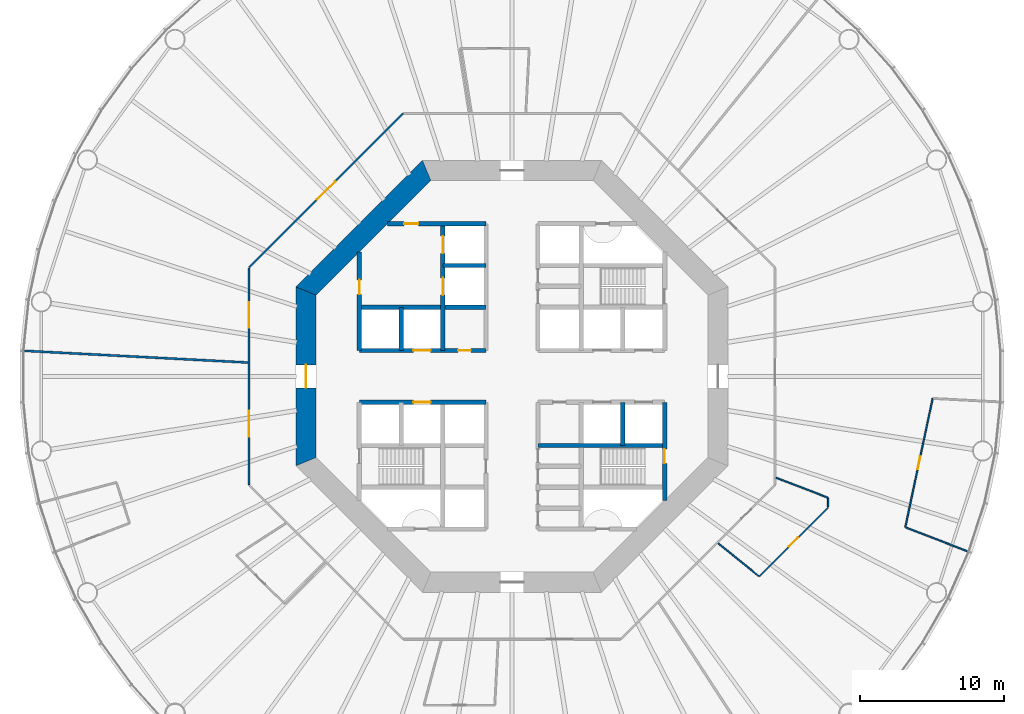
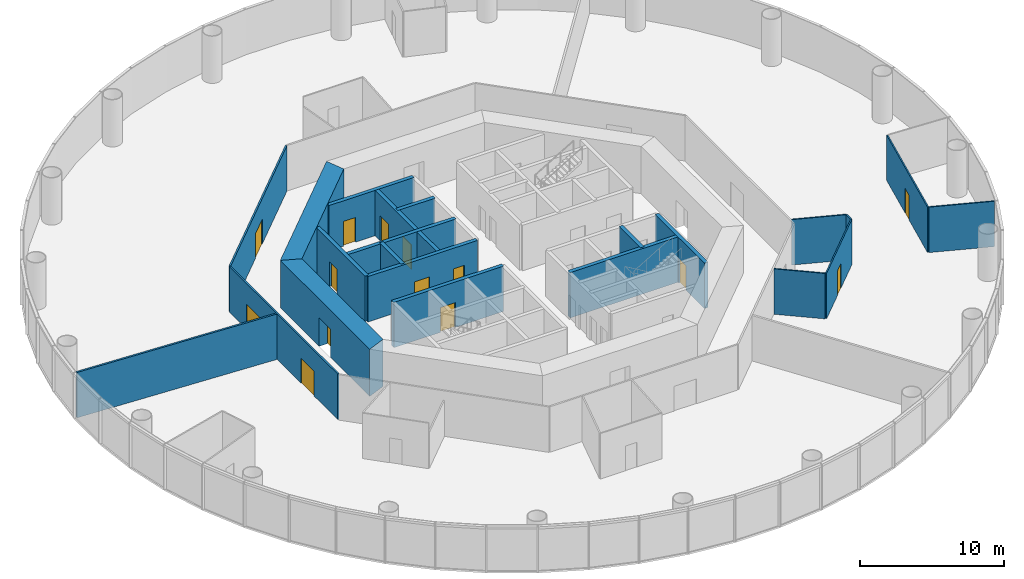
# One storey, part 4 of 13: 22 walls, 14 doors, 14 openings.
"""IFC4 building model written with IfcOpenShell, lengths in metres."""

from ifc_helpers import new_model, si_unit, direction, frame, frame_2d, origin, place, context, subcontext, project, spatial, polyline, rectangle, outline, extrude, material, layer, layer_set, type_object, element, fill, save


model = new_model("IFC4")

# Units and contexts
model_context = context("Model", 3, precision=1e-05, world=origin(), true_north=direction((0.0, 1.0)))
body_context = subcontext(model_context, "Body", "Model", "MODEL_VIEW")
ifc_project = project(units=[si_unit("LENGTHUNIT", "METRE"), si_unit("AREAUNIT", "SQUARE_METRE"), si_unit("VOLUMEUNIT", "CUBIC_METRE"), si_unit("PLANEANGLEUNIT", "RADIAN"), si_unit("MASSUNIT", "GRAM", prefix="KILO")], contexts=[model_context])

# Site, building, storey
site_placement = place(None, origin())
site = spatial("IfcSite", under=ifc_project, at=site_placement, CompositionType="ELEMENT")
building_placement = place(site_placement, origin())
building = spatial("IfcBuilding", under=site, at=building_placement, Name="Entoto Ring Tower", CompositionType="ELEMENT")
storey_placement = place(building_placement, frame((0.0, 0.0, 46.0)))
storey = spatial("IfcBuildingStorey", under=building, at=storey_placement, Name="L09", CompositionType="ELEMENT", Elevation=46.0)

# Wall, opening, door
ifc_material_1 = material(Name="Concrete C40/50", Category="concrete")
ifc_layer_1 = layer(ifc_material_1, 0.300048828125)
ifc_layer_set_1 = layer_set([ifc_layer_1], Name="Concrete C40/50")
wall_type_1 = type_object("IfcWallType", Name="Core enclosure wall 300 mm reinforced concrete", PredefinedType="SOLIDWALL", material=ifc_layer_set_1)
wall_1_placement = place(storey_placement, frame((100.60009765625, 71.36669921875, 0.0), z_axis=(0.0, 0.0, 1.0), x_axis=(0.0, 1.0, 0.0)))
wall_1 = element("IfcWall", 1, at=wall_1_placement, inside=storey, type_object=wall_type_1, Name="wall-L09-001", PredefinedType="SOLIDWALL", context=body_context, shape_type="SweptSolid", body=[
    extrude(rectangle(XDim=6.833251953125, YDim=0.300048828125, at=frame_2d((3.41650390625, 0.0))), origin(), (0.0, 0.0, 1.0), 3.85009765625),
])
opening_1_placement = place(wall_1_placement, frame((2.583251953125, 0.0, 0.0)))
opening_1 = element("IfcOpeningElement", 2, at=opening_1_placement, cuts=wall_1, Name="Opening K-22", PredefinedType="OPENING", context=body_context, shape_type="SweptSolid", body=[
    extrude(rectangle(XDim=1.0, YDim=2.10009765625, at=frame_2d((0.5, 1.050048828125))), frame((0.0, 0.16015625, 0.0), z_axis=(0.0, -1.0, 0.0), x_axis=(1.0, 0.0, 0.0)), (0.0, 0.0, 1.0), 0.320068359375),
])
ifc_material_2 = material(Name="Steel door leaf, fire rated", Category="steel")
ifc_layer_2 = layer(ifc_material_2, 0.050048828125)
ifc_layer_set_2 = layer_set([ifc_layer_2], Name="Steel door leaf, fire rated")
door_type_1 = type_object("IfcDoorType", Name="Fire door FD60 1000 x 2100 single leaf", OperationType="NOTDEFINED", PredefinedType="DOOR", material=ifc_layer_set_2)
door_1_placement = place(opening_1_placement, origin())
door_1 = element("IfcDoor", 3, at=door_1_placement, inside=storey, type_object=door_type_1, Name="Door K-22", OperationType="SINGLE_SWING_RIGHT", OverallHeight=2.10009765625, OverallWidth=1.0, PredefinedType="DOOR", context=body_context, shape_type="SweptSolid", body=[
    extrude(rectangle(XDim=1.0, YDim=2.10009765625, at=frame_2d((0.5, 1.050048828125))), frame((0.0, 0.02490234375, 0.0), z_axis=(0.0, -1.0, 0.0), x_axis=(1.0, 0.0, 0.0)), (0.0, 0.0, 1.0), 0.050048828125),
])
fill(opening_1, door_1)

# Wall
wall_2_placement = place(storey_placement, frame((97.699951171875, 75.199951171875, 0.0), z_axis=(0.0, 0.0, 1.0), x_axis=(0.0, 1.0, 0.0)))
element("IfcWall", 4, at=wall_2_placement, inside=storey, type_object=wall_type_1, Name="wall-L09-003", PredefinedType="SOLIDWALL", context=body_context, shape_type="SweptSolid", body=[
    extrude(rectangle(XDim=3.0, YDim=0.300048828125, at=frame_2d((1.5, 0.0))), origin(), (0.0, 0.0, 1.0), 3.85009765625),
])

# Wall, openings, doors
wall_3_placement = place(storey_placement, frame((85.199951171875, 81.800048828125, 0.0), z_axis=(0.0, 0.0, 1.0), x_axis=(0.0, 1.0, 0.0)))
wall_3 = element("IfcWall", 5, at=wall_3_placement, inside=storey, type_object=wall_type_1, Name="wall-L09-012", PredefinedType="SOLIDWALL", context=body_context, shape_type="SweptSolid", body=[
    extrude(rectangle(XDim=8.800048828125, YDim=0.300048828125, at=frame_2d((4.39990234375, 0.0))), origin(), (0.0, 0.0, 1.0), 3.85009765625),
])
opening_2_placement = place(wall_3_placement, frame((3.85009765625, 0.0, 0.0)))
opening_2 = element("IfcOpeningElement", 6, at=opening_2_placement, cuts=wall_3, Name="Opening LD", PredefinedType="OPENING", context=body_context, shape_type="SweptSolid", body=[
    extrude(rectangle(XDim=1.199951171875, YDim=2.10009765625, at=frame_2d((0.60009765625, 1.050048828125))), frame((0.0, 0.16015625, 0.0), z_axis=(0.0, -1.0, 0.0), x_axis=(1.0, 0.0, 0.0)), (0.0, 0.0, 1.0), 0.320068359375),
])
opening_3_placement = place(wall_3_placement, frame((6.75, 0.0, 0.0)))
opening_3 = element("IfcOpeningElement", 7, at=opening_3_placement, cuts=wall_3, Name="Opening LD", PredefinedType="OPENING", context=body_context, shape_type="SweptSolid", body=[
    extrude(rectangle(XDim=1.199951171875, YDim=2.10009765625, at=frame_2d((0.60009765625, 1.050048828125))), frame((0.0, 0.16015625, 0.0), z_axis=(0.0, -1.0, 0.0), x_axis=(1.0, 0.0, 0.0)), (0.0, 0.0, 1.0), 0.320068359375),
])
ifc_material_3 = material(Name="Steel and glass door leaf", Category="steel")
ifc_layer_3 = layer(ifc_material_3, 0.050048828125)
ifc_layer_set_3 = layer_set([ifc_layer_3], Name="Steel and glass door leaf")
door_type_2 = type_object("IfcDoorType", Name="Landing door 1200 x 2100 sliding", OperationType="DOUBLE_DOOR_SLIDING", PredefinedType="DOOR", material=ifc_layer_set_3)
door_2_placement = place(opening_2_placement, origin())
door_2 = element("IfcDoor", 8, at=door_2_placement, inside=storey, type_object=door_type_2, Name="Landing door FF1", OperationType="SLIDING_TO_RIGHT", OverallHeight=2.10009765625, OverallWidth=1.199951171875, PredefinedType="DOOR", context=body_context, shape_type="SweptSolid", body=[
    extrude(rectangle(XDim=1.199951171875, YDim=2.10009765625, at=frame_2d((0.60009765625, 1.050048828125))), frame((0.0, 0.02490234375, 0.0), z_axis=(0.0, -1.0, 0.0), x_axis=(1.0, 0.0, 0.0)), (0.0, 0.0, 1.0), 0.050048828125),
])
fill(opening_2, door_2)
door_3_placement = place(opening_3_placement, origin())
door_3 = element("IfcDoor", 9, at=door_3_placement, inside=storey, type_object=door_type_2, Name="Landing door FF2", OperationType="SLIDING_TO_RIGHT", OverallHeight=2.10009765625, OverallWidth=1.199951171875, PredefinedType="DOOR", context=body_context, shape_type="SweptSolid", body=[
    extrude(rectangle(XDim=1.199951171875, YDim=2.10009765625, at=frame_2d((0.60009765625, 1.050048828125))), frame((0.0, 0.02490234375, 0.0), z_axis=(0.0, -1.0, 0.0), x_axis=(1.0, 0.0, 0.0)), (0.0, 0.0, 1.0), 0.050048828125),
])
fill(opening_3, door_3)

# Wall
wall_4_placement = place(storey_placement, frame((82.300048828125, 81.800048828125, 0.0), z_axis=(0.0, 0.0, 1.0), x_axis=(0.0, 1.0, 0.0)))
element("IfcWall", 10, at=wall_4_placement, inside=storey, type_object=wall_type_1, Name="wall-L09-014", PredefinedType="SOLIDWALL", context=body_context, shape_type="SweptSolid", body=[
    extrude(rectangle(XDim=3.0, YDim=0.300048828125, at=frame_2d((1.5, 0.0))), origin(), (0.0, 0.0, 1.0), 3.85009765625),
])

# Wall, opening, door
wall_5_placement = place(storey_placement, frame((79.39990234375, 81.800048828125, 0.0), z_axis=(0.0, 0.0, 1.0), x_axis=(0.0, 1.0, 0.0)))
wall_5 = element("IfcWall", 11, at=wall_5_placement, inside=storey, type_object=wall_type_1, Name="wall-L09-016", PredefinedType="SOLIDWALL", context=body_context, shape_type="SweptSolid", body=[
    extrude(rectangle(XDim=6.833251953125, YDim=0.300048828125, at=frame_2d((3.41650390625, 0.0))), origin(), (0.0, 0.0, 1.0), 3.85009765625),
])
opening_4_placement = place(wall_5_placement, frame((3.89990234375, 0.0, 0.0)))
opening_4 = element("IfcOpeningElement", 12, at=opening_4_placement, cuts=wall_5, Name="Opening K-26", PredefinedType="OPENING", context=body_context, shape_type="SweptSolid", body=[
    extrude(rectangle(XDim=1.0, YDim=2.10009765625, at=frame_2d((0.5, 1.050048828125))), frame((0.0, 0.16015625, 0.0), z_axis=(0.0, -1.0, 0.0), x_axis=(1.0, 0.0, 0.0)), (0.0, 0.0, 1.0), 0.320068359375),
])
door_4_placement = place(opening_4_placement, frame((1.0, 0.0, 0.0), z_axis=(0.0, 0.0, 1.0), x_axis=(-1.0, 0.0, 0.0)))
door_4 = element("IfcDoor", 13, at=door_4_placement, inside=storey, type_object=door_type_1, Name="Door K-26", OperationType="SINGLE_SWING_LEFT", OverallHeight=2.10009765625, OverallWidth=1.0, PredefinedType="DOOR", context=body_context, shape_type="SweptSolid", body=[
    extrude(rectangle(XDim=1.0, YDim=2.10009765625, at=frame_2d((0.5, 1.050048828125))), frame((0.0, 0.02490234375, 0.0), z_axis=(0.0, -1.0, 0.0), x_axis=(1.0, 0.0, 0.0)), (0.0, 0.0, 1.0), 0.050048828125),
])
fill(opening_4, door_4)

# Wall
wall_6_placement = place(storey_placement, frame((91.800048828125, 75.199951171875, 0.0), z_axis=(0.0, 0.0, 1.0), x_axis=(1.0, 0.0, 0.0)))
element("IfcWall", 14, at=wall_6_placement, inside=storey, type_object=wall_type_1, Name="wall-L09-024", PredefinedType="SOLIDWALL", context=body_context, shape_type="SweptSolid", body=[
    extrude(rectangle(XDim=8.800048828125, YDim=0.300048828125, at=frame_2d((4.39990234375, 0.0))), origin(), (0.0, 0.0, 1.0), 3.85009765625),
])

# Wall, opening, door
wall_7_placement = place(storey_placement, frame((79.39990234375, 78.199951171875, 0.0), z_axis=(0.0, 0.0, 1.0), x_axis=(1.0, 0.0, 0.0)))
wall_7 = element("IfcWall", 15, at=wall_7_placement, inside=storey, type_object=wall_type_1, Name="wall-L09-025", PredefinedType="SOLIDWALL", context=body_context, shape_type="SweptSolid", body=[
    extrude(rectangle(XDim=8.800048828125, YDim=0.300048828125, at=frame_2d((4.39990234375, 0.0))), origin(), (0.0, 0.0, 1.0), 3.85009765625),
])
opening_5_placement = place(wall_7_placement, frame((3.75, 0.0, 0.0)))
opening_5 = element("IfcOpeningElement", 16, at=opening_5_placement, cuts=wall_7, Name="Opening LD", PredefinedType="OPENING", context=body_context, shape_type="SweptSolid", body=[
    extrude(rectangle(XDim=1.199951171875, YDim=2.10009765625, at=frame_2d((0.60009765625, 1.050048828125))), frame((0.0, 0.16015625, 0.0), z_axis=(0.0, -1.0, 0.0), x_axis=(1.0, 0.0, 0.0)), (0.0, 0.0, 1.0), 0.320068359375),
])
door_5_placement = place(opening_5_placement, origin())
door_5 = element("IfcDoor", 17, at=door_5_placement, inside=storey, type_object=door_type_2, Name="Landing door LB6-LR", OperationType="SLIDING_TO_RIGHT", OverallHeight=2.10009765625, OverallWidth=1.199951171875, PredefinedType="DOOR", context=body_context, shape_type="SweptSolid", body=[
    extrude(rectangle(XDim=1.199951171875, YDim=2.10009765625, at=frame_2d((0.60009765625, 1.050048828125))), frame((0.0, 0.02490234375, 0.0), z_axis=(0.0, -1.0, 0.0), x_axis=(1.0, 0.0, 0.0)), (0.0, 0.0, 1.0), 0.050048828125),
])
fill(opening_5, door_5)

# Wall, openings, doors
wall_8_placement = place(storey_placement, frame((79.39990234375, 81.800048828125, 0.0), z_axis=(0.0, 0.0, 1.0), x_axis=(1.0, 0.0, 0.0)))
wall_8 = element("IfcWall", 18, at=wall_8_placement, inside=storey, type_object=wall_type_1, Name="wall-L09-027", PredefinedType="SOLIDWALL", context=body_context, shape_type="SweptSolid", body=[
    extrude(rectangle(XDim=8.800048828125, YDim=0.300048828125, at=frame_2d((4.39990234375, 0.0))), origin(), (0.0, 0.0, 1.0), 3.85009765625),
])
opening_6_placement = place(wall_8_placement, frame((3.75, 0.0, 0.0)))
opening_6 = element("IfcOpeningElement", 19, at=opening_6_placement, cuts=wall_8, Name="Opening LD", PredefinedType="OPENING", context=body_context, shape_type="SweptSolid", body=[
    extrude(rectangle(XDim=1.199951171875, YDim=2.10009765625, at=frame_2d((0.60009765625, 1.050048828125))), frame((0.0, 0.16015625, 0.0), z_axis=(0.0, -1.0, 0.0), x_axis=(1.0, 0.0, 0.0)), (0.0, 0.0, 1.0), 0.320068359375),
])
opening_7_placement = place(wall_8_placement, frame((6.85009765625, 0.0, 0.0)))
opening_7 = element("IfcOpeningElement", 20, at=opening_7_placement, cuts=wall_8, Name="Opening K-18", PredefinedType="OPENING", context=body_context, shape_type="SweptSolid", body=[
    extrude(rectangle(XDim=0.89990234375, YDim=2.10009765625, at=frame_2d((0.449951171875, 1.050048828125))), frame((0.0, 0.16015625, 0.0), z_axis=(0.0, -1.0, 0.0), x_axis=(1.0, 0.0, 0.0)), (0.0, 0.0, 1.0), 0.320068359375),
])
ifc_material_4 = material(Name="Steel door leaf, fire rated", Category="steel")
ifc_layer_4 = layer(ifc_material_4, 0.050048828125)
ifc_layer_set_4 = layer_set([ifc_layer_4], Name="Steel door leaf, fire rated")
door_type_3 = type_object("IfcDoorType", Name="Core door 900 x 2100 single leaf", OperationType="NOTDEFINED", PredefinedType="DOOR", material=ifc_layer_set_4)
door_6_placement = place(opening_7_placement, frame((0.89990234375, 0.0, 0.0), z_axis=(0.0, 0.0, 1.0), x_axis=(-1.0, 0.0, 0.0)))
door_6 = element("IfcDoor", 21, at=door_6_placement, inside=storey, type_object=door_type_3, Name="Door K-18", OperationType="SINGLE_SWING_RIGHT", OverallHeight=2.10009765625, OverallWidth=0.89990234375, PredefinedType="DOOR", context=body_context, shape_type="SweptSolid", body=[
    extrude(rectangle(XDim=0.89990234375, YDim=2.10009765625, at=frame_2d((0.449951171875, 1.050048828125))), frame((0.0, 0.02490234375, 0.0), z_axis=(0.0, -1.0, 0.0), x_axis=(1.0, 0.0, 0.0)), (0.0, 0.0, 1.0), 0.050048828125),
])
fill(opening_7, door_6)
door_7_placement = place(opening_6_placement, origin())
door_7 = element("IfcDoor", 22, at=door_7_placement, inside=storey, type_object=door_type_2, Name="Landing door LB3-LR", OperationType="SLIDING_TO_RIGHT", OverallHeight=2.10009765625, OverallWidth=1.199951171875, PredefinedType="DOOR", context=body_context, shape_type="SweptSolid", body=[
    extrude(rectangle(XDim=1.199951171875, YDim=2.10009765625, at=frame_2d((0.60009765625, 1.050048828125))), frame((0.0, 0.02490234375, 0.0), z_axis=(0.0, -1.0, 0.0), x_axis=(1.0, 0.0, 0.0)), (0.0, 0.0, 1.0), 0.050048828125),
])
fill(opening_6, door_7)

# Walls
wall_9_placement = place(storey_placement, frame((79.39990234375, 84.800048828125, 0.0), z_axis=(0.0, 0.0, 1.0), x_axis=(1.0, 0.0, 0.0)))
element("IfcWall", 23, at=wall_9_placement, inside=storey, type_object=wall_type_1, Name="wall-L09-029", PredefinedType="SOLIDWALL", context=body_context, shape_type="SweptSolid", body=[
    extrude(rectangle(XDim=8.800048828125, YDim=0.300048828125, at=frame_2d((4.39990234375, 0.0))), origin(), (0.0, 0.0, 1.0), 3.85009765625),
])
wall_10_placement = place(storey_placement, frame((85.199951171875, 87.699951171875, 0.0), z_axis=(0.0, 0.0, 1.0), x_axis=(1.0, 0.0, 0.0)))
element("IfcWall", 24, at=wall_10_placement, inside=storey, type_object=wall_type_1, Name="wall-L09-032", PredefinedType="SOLIDWALL", context=body_context, shape_type="SweptSolid", body=[
    extrude(rectangle(XDim=3.0, YDim=0.300048828125, at=frame_2d((1.5, 0.0))), origin(), (0.0, 0.0, 1.0), 3.85009765625),
])

# Wall, opening, door
wall_11_placement = place(storey_placement, frame((81.36669921875, 90.60009765625, 0.0), z_axis=(0.0, 0.0, 1.0), x_axis=(1.0, 0.0, 0.0)))
wall_11 = element("IfcWall", 25, at=wall_11_placement, inside=storey, type_object=wall_type_1, Name="wall-L09-034", PredefinedType="SOLIDWALL", context=body_context, shape_type="SweptSolid", body=[
    extrude(rectangle(XDim=6.833251953125, YDim=0.300048828125, at=frame_2d((3.41650390625, 0.0))), origin(), (0.0, 0.0, 1.0), 3.85009765625),
])
opening_8_placement = place(wall_11_placement, frame((1.13330078125, 0.0, 0.0)))
opening_8 = element("IfcOpeningElement", 26, at=opening_8_placement, cuts=wall_11, Name="Opening K-27", PredefinedType="OPENING", context=body_context, shape_type="SweptSolid", body=[
    extrude(rectangle(XDim=1.0, YDim=2.10009765625, at=frame_2d((0.5, 1.050048828125))), frame((0.0, 0.16015625, 0.0), z_axis=(0.0, -1.0, 0.0), x_axis=(1.0, 0.0, 0.0)), (0.0, 0.0, 1.0), 0.320068359375),
])
door_8_placement = place(opening_8_placement, frame((1.0, 0.0, 0.0), z_axis=(0.0, 0.0, 1.0), x_axis=(-1.0, 0.0, 0.0)))
door_8 = element("IfcDoor", 27, at=door_8_placement, inside=storey, type_object=door_type_1, Name="Door K-27", OperationType="SINGLE_SWING_RIGHT", OverallHeight=2.10009765625, OverallWidth=1.0, PredefinedType="DOOR", context=body_context, shape_type="SweptSolid", body=[
    extrude(rectangle(XDim=1.0, YDim=2.10009765625, at=frame_2d((0.5, 1.050048828125))), frame((0.0, 0.02490234375, 0.0), z_axis=(0.0, -1.0, 0.0), x_axis=(1.0, 0.0, 0.0)), (0.0, 0.0, 1.0), 0.050048828125),
])
fill(opening_8, door_8)

# Wall
ifc_material_5 = material(Name="Concrete C60/75", Category="concrete")
ifc_layer_5 = layer(ifc_material_5, 1.39990234375)
ifc_layer_set_5 = layer_set([ifc_layer_5], Name="Concrete C60/75")
wall_type_2 = type_object("IfcWallType", Name="Core shear wall 1400 mm reinforced concrete C60/75", PredefinedType="SHEAR", material=ifc_layer_set_5)
wall_12_placement = place(storey_placement, frame((84.07666015625, 94.300048828125, 0.0), z_axis=(0.0, 0.0, 1.0), x_axis=(-0.707106781187, -0.707106781187, 0.0)))
element("IfcWall", 28, at=wall_12_placement, inside=storey, type_object=wall_type_2, Name="wall-L09-core-3", PredefinedType="SHEAR", context=body_context, shape_type="SweptSolid", body=[
    extrude(outline(polyline([(-0.2900390625, -0.699951171875), (12.136474609375, -0.699951171875), (11.556396484375, 0.699951171875), (0.2900390625, 0.699951171875), (-0.2900390625, -0.699951171875)])), origin(), (0.0, 0.0, 1.0), 4.0),
])

# Wall, opening, door
wall_13_placement = place(storey_placement, frame((75.699951171875, 85.92333984375, 0.0), z_axis=(0.0, 0.0, 1.0), x_axis=(0.0, -1.0, 0.0)))
wall_13 = element("IfcWall", 29, at=wall_13_placement, inside=storey, type_object=wall_type_2, Name="wall-L09-core-4", PredefinedType="SHEAR", context=body_context, shape_type="SweptSolid", body=[
    extrude(outline(polyline([(-0.2900390625, -0.699951171875), (12.13671875, -0.699951171875), (11.556640625, 0.699951171875), (0.2900390625, 0.699951171875), (-0.2900390625, -0.699951171875)])), origin(), (0.0, 0.0, 1.0), 4.0),
])
opening_9_placement = place(wall_13_placement, frame((5.123291015625, 0.0, 0.0)))
opening_9 = element("IfcOpeningElement", 30, at=opening_9_placement, cuts=wall_13, Name="Opening K-03", PredefinedType="OPENING", context=body_context, shape_type="SweptSolid", body=[
    extrude(rectangle(XDim=1.60009765625, YDim=2.39990234375, at=frame_2d((0.800048828125, 1.199951171875))), frame((0.0, 0.7099609375, 0.0), z_axis=(0.0, -1.0, 0.0), x_axis=(1.0, 0.0, 0.0)), (0.0, 0.0, 1.0), 1.419921875),
])
ifc_material_6 = material(Name="Steel door leaf, fire rated", Category="steel")
ifc_layer_6 = layer(ifc_material_6, 0.050048828125)
ifc_layer_set_6 = layer_set([ifc_layer_6], Name="Steel door leaf, fire rated")
door_type_4 = type_object("IfcDoorType", Name="Entrance door FD60 1600 x 2400 double leaf", OperationType="DOUBLE_DOOR_SINGLE_SWING", PredefinedType="DOOR", material=ifc_layer_set_6)
door_9_placement = place(opening_9_placement, origin())
door_9 = element("IfcDoor", 31, at=door_9_placement, inside=storey, type_object=door_type_4, Name="Entrance door K-03", OperationType="DOUBLE_DOOR_SINGLE_SWING", OverallHeight=2.39990234375, OverallWidth=1.60009765625, PredefinedType="DOOR", context=body_context, shape_type="SweptSolid", body=[
    extrude(rectangle(XDim=1.60009765625, YDim=2.39990234375, at=frame_2d((0.800048828125, 1.199951171875))), frame((0.0, 0.02490234375, 0.0), z_axis=(0.0, -1.0, 0.0), x_axis=(1.0, 0.0, 0.0)), (0.0, 0.0, 1.0), 0.050048828125),
])
fill(opening_9, door_9)

ifc_material_7 = material(Name="Fire-resisting plasterboard on steel studs", Category="steel")
ifc_layer_7 = layer(ifc_material_7, 0.125)
ifc_layer_set_7 = layer_set([ifc_layer_7], Name="Fire-resisting plasterboard on steel studs")
wall_type_3 = type_object("IfcWallType", Name="Corridor wall 125 mm one-hour plasterboard on steel studs", PredefinedType="PARTITIONING", material=ifc_layer_set_7)
wall_14_placement = place(storey_placement, frame((71.737548828125, 87.564697265625, 0.0), z_axis=(0.0, 0.0, 1.0), x_axis=(0.707106781187, 0.707106781187, 0.0)))
wall_14 = element("IfcWall", 32, at=wall_14_placement, inside=storey, type_object=wall_type_3, Name="partition-L09-001", PredefinedType="PARTITIONING", context=body_context, shape_type="SweptSolid", body=[
    extrude(rectangle(XDim=15.12890625, YDim=0.125, at=frame_2d((7.564453125, 0.0))), origin(), (0.0, 0.0, 1.0), 3.85009765625),
])
opening_10_placement = place(wall_14_placement, frame((6.66455078125, 0.0, 0.0)))
opening_10 = element("IfcOpeningElement", 33, at=opening_10_placement, cuts=wall_14, Name="Opening A04-D11", PredefinedType="OPENING", context=body_context, shape_type="SweptSolid", body=[
    extrude(rectangle(XDim=1.800048828125, YDim=2.10009765625, at=frame_2d((0.89990234375, 1.050048828125))), frame((0.0, 0.072509765625, 0.0), z_axis=(0.0, -1.0, 0.0), x_axis=(1.0, 0.0, 0.0)), (0.0, 0.0, 1.0), 0.14501953125),
])
ifc_material_8 = material(Name="Fire-resisting timber door set", Category="wood")
door_type_5 = type_object("IfcDoorType", Name="Door 1800 x 2100 double leaf FD30S fire door", OperationType="DOUBLE_DOOR_SINGLE_SWING", PredefinedType="DOOR", material=ifc_material_8)
door_10_placement = place(opening_10_placement, frame((1.800048828125, 0.0, 0.0), z_axis=(0.0, 0.0, 1.0), x_axis=(-1.0, 0.0, 0.0)))
door_10 = element("IfcDoor", 34, at=door_10_placement, inside=storey, type_object=door_type_5, Name="Door A04-D11", OperationType="DOUBLE_DOOR_SINGLE_SWING", OverallHeight=2.10009765625, OverallWidth=1.800048828125, PredefinedType="DOOR", context=body_context, shape_type="SweptSolid", body=[
    extrude(rectangle(XDim=1.800048828125, YDim=2.10009765625, at=frame_2d((0.89990234375, 1.050048828125))), frame((0.0, 0.02490234375, 0.0), z_axis=(0.0, -1.0, 0.0), x_axis=(1.0, 0.0, 0.0)), (0.0, 0.0, 1.0), 0.050048828125),
])
fill(opening_10, door_10)

# Wall, openings, doors
wall_15_placement = place(storey_placement, frame((71.737548828125, 72.4794921875, 0.0), z_axis=(0.0, 0.0, 1.0), x_axis=(0.0, 1.0, 0.0)))
wall_15 = element("IfcWall", 35, at=wall_15_placement, inside=storey, type_object=wall_type_3, Name="partition-L09-005", PredefinedType="PARTITIONING", context=body_context, shape_type="SweptSolid", body=[
    extrude(rectangle(XDim=15.041015625, YDim=0.125, at=frame_2d((7.5205078125, 0.0))), origin(), (0.0, 0.0, 1.0), 3.85009765625),
])
opening_11_placement = place(wall_15_placement, frame((3.31689453125, 0.0, 0.0)))
opening_11 = element("IfcOpeningElement", 36, at=opening_11_placement, cuts=wall_15, Name="Opening A04-D02", PredefinedType="OPENING", context=body_context, shape_type="SweptSolid", body=[
    extrude(rectangle(XDim=1.800048828125, YDim=2.10009765625, at=frame_2d((0.89990234375, 1.050048828125))), frame((0.0, 0.072509765625, 0.0), z_axis=(0.0, -1.0, 0.0), x_axis=(1.0, 0.0, 0.0)), (0.0, 0.0, 1.0), 0.14501953125),
])
opening_12_placement = place(wall_15_placement, frame((10.88134765625, 0.0, 0.0)))
opening_12 = element("IfcOpeningElement", 37, at=opening_12_placement, cuts=wall_15, Name="Opening A04-D12", PredefinedType="OPENING", context=body_context, shape_type="SweptSolid", body=[
    extrude(rectangle(XDim=1.800048828125, YDim=2.10009765625, at=frame_2d((0.89990234375, 1.050048828125))), frame((0.0, 0.072509765625, 0.0), z_axis=(0.0, -1.0, 0.0), x_axis=(1.0, 0.0, 0.0)), (0.0, 0.0, 1.0), 0.14501953125),
])
door_11_placement = place(opening_11_placement, frame((1.800048828125, 0.0, 0.0), z_axis=(0.0, 0.0, 1.0), x_axis=(-1.0, 0.0, 0.0)))
door_11 = element("IfcDoor", 38, at=door_11_placement, inside=storey, type_object=door_type_5, Name="Door A04-D02", OperationType="DOUBLE_DOOR_SINGLE_SWING", OverallHeight=2.10009765625, OverallWidth=1.800048828125, PredefinedType="DOOR", context=body_context, shape_type="SweptSolid", body=[
    extrude(rectangle(XDim=1.800048828125, YDim=2.10009765625, at=frame_2d((0.89990234375, 1.050048828125))), frame((0.0, 0.02490234375, 0.0), z_axis=(0.0, -1.0, 0.0), x_axis=(1.0, 0.0, 0.0)), (0.0, 0.0, 1.0), 0.050048828125),
])
fill(opening_11, door_11)
door_12_placement = place(opening_12_placement, frame((1.800048828125, 0.0, 0.0), z_axis=(0.0, 0.0, 1.0), x_axis=(-1.0, 0.0, 0.0)))
door_12 = element("IfcDoor", 39, at=door_12_placement, inside=storey, type_object=door_type_5, Name="Door A04-D12", OperationType="DOUBLE_DOOR_SINGLE_SWING", OverallHeight=2.10009765625, OverallWidth=1.800048828125, PredefinedType="DOOR", context=body_context, shape_type="SweptSolid", body=[
    extrude(rectangle(XDim=1.800048828125, YDim=2.10009765625, at=frame_2d((0.89990234375, 1.050048828125))), frame((0.0, 0.02490234375, 0.0), z_axis=(0.0, -1.0, 0.0), x_axis=(1.0, 0.0, 0.0)), (0.0, 0.0, 1.0), 0.050048828125),
])
fill(opening_12, door_12)

# Wall, opening, door
ifc_material_9 = material(Name="Plasterboard on steel studs", Category="steel")
ifc_layer_8 = layer(ifc_material_9, 0.10009765625)
ifc_layer_set_8 = layer_set([ifc_layer_8], Name="Plasterboard on steel studs")
wall_type_4 = type_object("IfcWallType", Name="Partition 100 mm plasterboard on steel studs", PredefinedType="PARTITIONING", material=ifc_layer_set_8)
wall_16_placement = place(storey_placement, frame((117.316650390625, 69.51416015625, 0.0), z_axis=(0.0, 0.0, 1.0), x_axis=(0.207913298034, 0.978147259108, 0.0)))
wall_16 = element("IfcWall", 40, at=wall_16_placement, inside=storey, type_object=wall_type_4, Name="partition-L09-012", PredefinedType="PARTITIONING", context=body_context, shape_type="SweptSolid", body=[
    extrude(rectangle(XDim=9.154296875, YDim=0.10009765625, at=frame_2d((4.5771484375, 0.0))), origin(), (0.0, 0.0, 1.0), 3.85009765625),
])
opening_13_placement = place(wall_16_placement, frame((4.127197265625, 0.0, 0.0)))
opening_13 = element("IfcOpeningElement", 41, at=opening_13_placement, cuts=wall_16, Name="Opening A04-D10", PredefinedType="OPENING", context=body_context, shape_type="SweptSolid", body=[
    extrude(rectangle(XDim=0.89990234375, YDim=2.10009765625, at=frame_2d((0.449951171875, 1.050048828125))), frame((0.0, 0.06005859375, 0.0), z_axis=(0.0, -1.0, 0.0), x_axis=(1.0, 0.0, 0.0)), (0.0, 0.0, 1.0), 0.1201171875),
])
ifc_material_10 = material(Name="Veneered timber door leaf in timber frame", Category="wood")
door_type_6 = type_object("IfcDoorType", Name="Door 900 x 2100 single leaf timber veneer", OperationType="NOTDEFINED", PredefinedType="DOOR", material=ifc_material_10)
door_13_placement = place(opening_13_placement, frame((0.89990234375, 0.0, 0.0), z_axis=(0.0, 0.0, 1.0), x_axis=(-1.0, 0.0, 0.0)))
door_13 = element("IfcDoor", 42, at=door_13_placement, inside=storey, type_object=door_type_6, Name="Door A04-D10", OperationType="SINGLE_SWING_LEFT", OverallHeight=2.10009765625, OverallWidth=0.89990234375, PredefinedType="DOOR", context=body_context, shape_type="SweptSolid", body=[
    extrude(rectangle(XDim=0.89990234375, YDim=2.10009765625, at=frame_2d((0.449951171875, 1.050048828125))), frame((0.0, 0.02490234375, 0.0), z_axis=(0.0, -1.0, 0.0), x_axis=(1.0, 0.0, 0.0)), (0.0, 0.0, 1.0), 0.050048828125),
])
fill(opening_13, door_13)

wall_17_placement = place(storey_placement, frame((107.162109375, 66.102294921875, 0.0), z_axis=(0.0, 0.0, 1.0), x_axis=(0.707088799857, 0.707124762059, 0.0)))
wall_17 = element("IfcWall", 43, at=wall_17_placement, inside=storey, type_object=wall_type_4, Name="partition-L09-013", PredefinedType="PARTITIONING", context=body_context, shape_type="SweptSolid", body=[
    extrude(rectangle(XDim=6.788818359375, YDim=0.10009765625, at=frame_2d((3.39453125, 0.0))), origin(), (0.0, 0.0, 1.0), 3.85009765625),
])
opening_14_placement = place(wall_17_placement, frame((2.9443359375, 0.0, 0.0)))
opening_14 = element("IfcOpeningElement", 44, at=opening_14_placement, cuts=wall_17, Name="Opening A04-D08", PredefinedType="OPENING", context=body_context, shape_type="SweptSolid", body=[
    extrude(rectangle(XDim=0.89990234375, YDim=2.10009765625, at=frame_2d((0.449951171875, 1.050048828125))), frame((0.0, 0.06005859375, 0.0), z_axis=(0.0, -1.0, 0.0), x_axis=(1.0, 0.0, 0.0)), (0.0, 0.0, 1.0), 0.1201171875),
])
door_14_placement = place(opening_14_placement, origin())
door_14 = element("IfcDoor", 45, at=door_14_placement, inside=storey, type_object=door_type_6, Name="Door A04-D08", OperationType="SINGLE_SWING_LEFT", OverallHeight=2.10009765625, OverallWidth=0.89990234375, PredefinedType="DOOR", context=body_context, shape_type="SweptSolid", body=[
    extrude(rectangle(XDim=0.89990234375, YDim=2.10009765625, at=frame_2d((0.449951171875, 1.050048828125))), frame((0.0, 0.02490234375, 0.0), z_axis=(0.0, -1.0, 0.0), x_axis=(1.0, 0.0, 0.0)), (0.0, 0.0, 1.0), 0.050048828125),
])
fill(opening_14, door_14)

# Walls
wall_18_placement = place(storey_placement, frame((121.685791015625, 67.8369140625, 0.0), z_axis=(0.0, 0.0, 1.0), x_axis=(-0.933570977863, 0.358392563108, 0.0)))
element("IfcWall", 46, at=wall_18_placement, inside=storey, type_object=wall_type_4, Name="partition-L09-022", PredefinedType="PARTITIONING", context=body_context, shape_type="SweptSolid", body=[
    extrude(rectangle(XDim=4.630859375, YDim=0.10009765625, at=frame_2d((2.3154296875, 0.0))), origin(), (0.0, 0.0, 1.0), 3.85009765625),
])
wall_19_placement = place(storey_placement, frame((111.96240234375, 71.5693359375, 0.0), z_axis=(0.0, 0.0, 1.0), x_axis=(-0.933562901591, 0.358413600152, 0.0)))
element("IfcWall", 47, at=wall_19_placement, inside=storey, type_object=wall_type_4, Name="partition-L09-029", PredefinedType="PARTITIONING", context=body_context, shape_type="SweptSolid", body=[
    extrude(rectangle(XDim=3.877197265625, YDim=0.10009765625, at=frame_2d((1.9384765625, 0.0))), origin(), (0.0, 0.0, 1.0), 3.85009765625),
])
wall_20_placement = place(storey_placement, frame((107.12353515625, 66.1337890625, 0.0), z_axis=(0.0, 0.0, 1.0), x_axis=(-0.777165956393, 0.629295698558, 0.0)))
element("IfcWall", 48, at=wall_20_placement, inside=storey, type_object=wall_type_4, Name="partition-L09-030", PredefinedType="PARTITIONING", context=body_context, shape_type="SweptSolid", body=[
    extrude(rectangle(XDim=3.6025390625, YDim=0.10009765625, at=frame_2d((1.80126953125, 0.0))), origin(), (0.0, 0.0, 1.0), 3.85009765625),
])
wall_21_placement = place(storey_placement, frame((111.96240234375, 70.93798828125, 0.0), z_axis=(0.0, 0.0, 1.0), x_axis=(0.0, 1.0, 0.0)))
element("IfcWall", 49, at=wall_21_placement, inside=storey, type_object=wall_type_4, Name="partition-L09-033", PredefinedType="PARTITIONING", context=body_context, shape_type="SweptSolid", body=[
    extrude(rectangle(XDim=0.5849609375, YDim=0.10009765625, at=frame_2d((0.29248046875, 0.0))), origin(), (0.0, 0.0, 1.0), 3.85009765625),
])
ifc_material_11 = material(Name="Fire-resisting acoustic plasterboard on steel studs", Category="steel")
ifc_layer_9 = layer(ifc_material_11, 0.14990234375)
ifc_layer_set_9 = layer_set([ifc_layer_9], Name="Fire-resisting acoustic plasterboard on steel studs")
wall_type_5 = type_object("IfcWallType", Name="Party wall 150 mm one-hour acoustic plasterboard on steel studs", PredefinedType="PARTITIONING", material=ifc_layer_set_9)
wall_22_placement = place(storey_placement, frame((71.671142578125, 80.960693359375, 0.0), z_axis=(0.0, 0.0, 1.0), x_axis=(-0.998629660133, 0.052333563825, 0.0)))
element("IfcWall", 50, at=wall_22_placement, inside=storey, type_object=wall_type_5, Name="partition-L09-009", PredefinedType="PARTITIONING", context=body_context, shape_type="SweptSolid", body=[
    extrude(rectangle(XDim=15.5859375, YDim=0.14990234375, at=frame_2d((7.79296875, 0.0))), origin(), (0.0, 0.0, 1.0), 3.85009765625),
])

save(model, "model.ifc")
